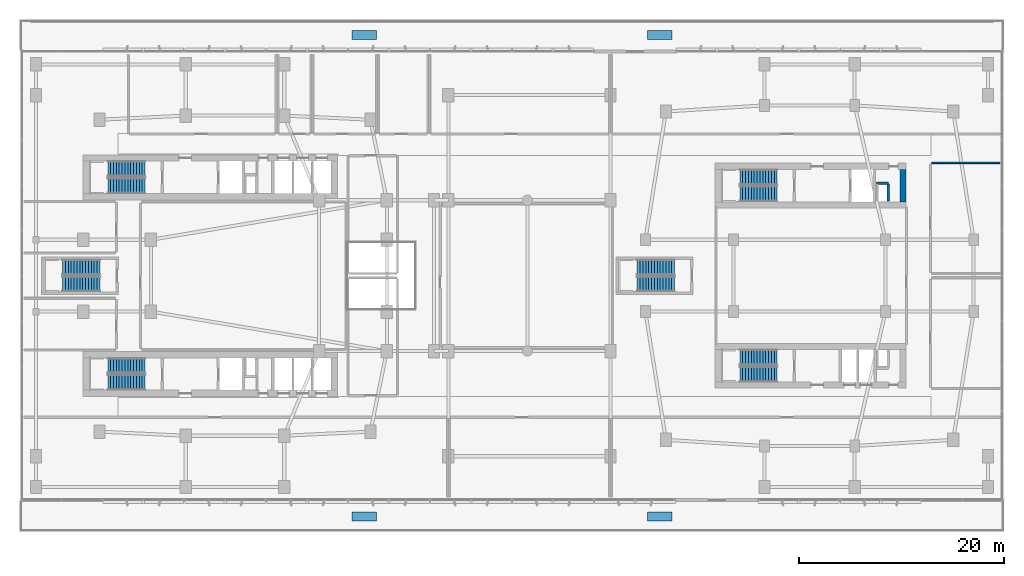
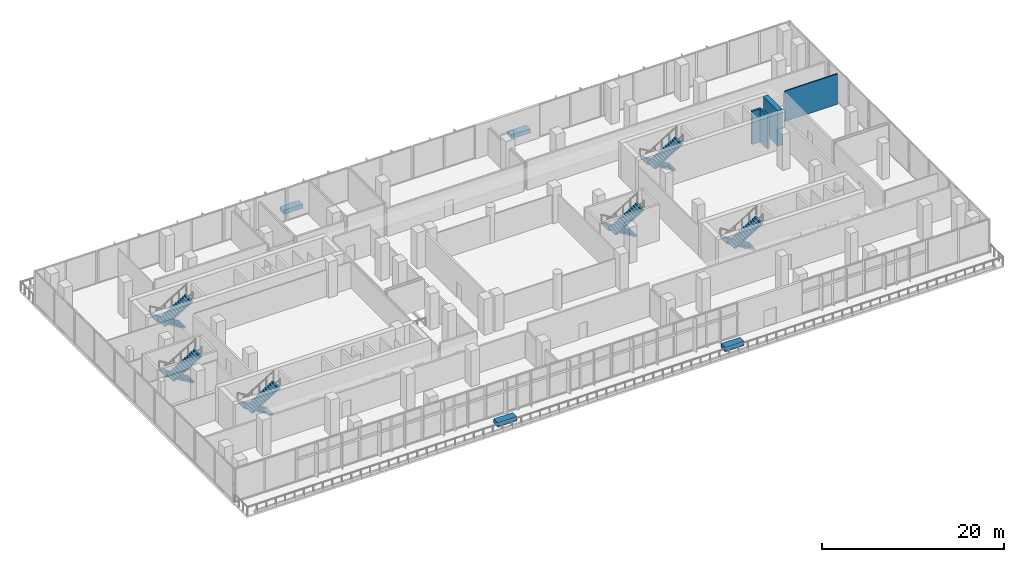
# One storey, part 16 of 30: 12 stair flights, 4 discrete accessories, 4 walls, 6 elements without a shape of their own.
"""IFC4 building model written with IfcOpenShell, lengths in metres."""

from ifc_helpers import new_model, si_unit, derived_unit, direction, frame, frame_2d, origin, origin_2d, place, context, subcontext, project, spatial, polyline, rectangle, outline, extrude, material, layer, layer_set, type_object, element, aggregate, save


model = new_model("IFC4")

# Units and contexts
model_context = context("Model", 3, precision=1e-05, world=origin(), true_north=direction((0.0, 1.0)))
body_context = subcontext(model_context, "Body", "Model", "MODEL_VIEW")
ifc_project = project(units=[si_unit("LENGTHUNIT", "METRE"), si_unit("AREAUNIT", "SQUARE_METRE"), si_unit("VOLUMEUNIT", "CUBIC_METRE"), si_unit("PLANEANGLEUNIT", "RADIAN"), si_unit("MASSUNIT", "GRAM", prefix="KILO"), derived_unit("THERMALTRANSMITTANCEUNIT", [(si_unit("POWERUNIT", "WATT"), 1), (si_unit("LENGTHUNIT", "METRE"), -2), (si_unit("THERMODYNAMICTEMPERATUREUNIT", "KELVIN"), -1)])], contexts=[model_context])

# Site, building, storey
site_placement = place(None, origin())
site = spatial("IfcSite", under=ifc_project, at=site_placement, CompositionType="ELEMENT")
building_placement = place(site_placement, origin())
building = spatial("IfcBuilding", under=site, at=building_placement, Name="Kivonza Crest Hotel", CompositionType="ELEMENT")
storey_placement = place(building_placement, frame((0.0, 0.0, 10.199951171875)))
storey = spatial("IfcBuildingStorey", under=building, at=storey_placement, Name="L02", CompositionType="ELEMENT", Elevation=10.199951171875)

# Walls
ifc_material_1 = material(Name="Concrete C60/75", Category="concrete")
ifc_layer_1 = layer(ifc_material_1, 0.60009765625)
ifc_layer_set_1 = layer_set([ifc_layer_1], Name="Concrete C60/75")
wall_type_1 = type_object("IfcWallType", Name="WL-CORE-600", PredefinedType="SHEAR", material=ifc_layer_set_1)
wall_1_placement = place(storey_placement, frame((86.10009765625, 32.199951171875, 0.0), z_axis=(0.0, 0.0, 1.0), x_axis=(0.0, 1.0, 0.0)))
element("IfcWall", 1, at=wall_1_placement, inside=storey, type_object=wall_type_1, Name="Core wall T2-N East L02", PredefinedType="SHEAR", context=body_context, shape_type="SweptSolid", body=[
    extrude(rectangle(XDim=3.16015625, YDim=0.60009765625, at=frame_2d((1.580078125, 0.0))), origin(), (0.0, 0.0, 1.0), 4.800048828125),
])
ifc_material_2 = material(Name="Concrete blockwork fire-compartment wall", Category="masonry")
ifc_layer_2 = layer(ifc_material_2, 0.25)
ifc_layer_set_2 = layer_set([ifc_layer_2], Name="Concrete blockwork fire-compartment wall")
wall_type_2 = type_object("IfcWallType", Name="WL-FIRE-250", PredefinedType="SOLIDWALL", material=ifc_layer_set_2)
wall_2_placement = place(storey_placement, frame((84.679931640625, 32.300048828125, 0.0), z_axis=(0.0, 0.0, 1.0), x_axis=(0.0, 1.0, 0.0)))
element("IfcWall", 2, at=wall_2_placement, inside=storey, type_object=wall_type_2, Name="L02 interior partition WA-L02-T2-N-MEPR-E", PredefinedType="SOLIDWALL", context=body_context, shape_type="SweptSolid", body=[
    extrude(rectangle(XDim=1.619873046875, YDim=0.25, at=frame_2d((0.81005859375, 0.0))), origin(), (0.0, 0.0, 1.0), 4.449951171875),
])
wall_3_placement = place(storey_placement, frame((83.550048828125, 34.02001953125, 0.0), z_axis=(0.0, 0.0, 1.0), x_axis=(1.0, 0.0, 0.0)))
element("IfcWall", 3, at=wall_3_placement, inside=storey, type_object=wall_type_2, Name="L02 interior partition WA-L02-T2-N-MEPR-H", PredefinedType="SOLIDWALL", context=body_context, shape_type="SweptSolid", body=[
    extrude(rectangle(XDim=1.1298828125, YDim=0.25, at=frame_2d((0.56494140625, 0.0))), origin(), (0.0, 0.0, 1.0), 4.449951171875),
])
ifc_material_3 = material(Name="Twin-stud acoustic gypsum board partition", Category="gypsum")
ifc_layer_3 = layer(ifc_material_3, 0.14990234375)
ifc_layer_set_3 = layer_set([ifc_layer_3], Name="Twin-stud acoustic gypsum board partition")
wall_type_3 = type_object("IfcWallType", Name="WL-PART-150", PredefinedType="PARTITIONING", material=ifc_layer_set_3)
wall_4_placement = place(storey_placement, frame((88.89990234375, 36.0, 0.0), z_axis=(0.0, 0.0, 1.0), x_axis=(1.0, 0.0, 0.0)))
element("IfcWall", 4, at=wall_4_placement, inside=storey, type_object=wall_type_3, Name="L02 interior partition WP-L02-E-GAL2N-BN", PredefinedType="PARTITIONING", context=body_context, shape_type="SweptSolid", body=[
    extrude(rectangle(XDim=6.650146484375, YDim=0.14990234375, at=frame_2d((3.3251953125, 0.0))), origin(), (0.0, 0.0, 1.0), 4.06494140625),
])

# Stair, stair flights
ifc_material_4 = material(Name="Concrete C40/50", Category="concrete")
stair_type = type_object("IfcStairType", Name="ST-DL-28R", PredefinedType="HALF_TURN_STAIR", material=ifc_material_4)
stair_1_placement = place(storey_placement, origin())
stair_1 = element("IfcStair", 5, at=stair_1_placement, inside=storey, type_object=stair_type, Name="L02 Protected Exit Stair ST-T1-N", PredefinedType="HALF_TURN_STAIR")
stair_flight_type = type_object("IfcStairFlightType", Name="SFL-RC-14R", PredefinedType="STRAIGHT", material=ifc_material_4)
stair_flight_1_placement = place(storey_placement, frame((12.239990234375, 35.409912109375, 0.0), z_axis=(0.0, 0.0, 1.0), x_axis=(-1.0, 0.0, 0.0)))
stair_flight_1 = element("IfcStairFlight", 6, at=stair_flight_1_placement, type_object=stair_flight_type, Name="ST-T1-N flight 1", NumberOfRisers=14, NumberOfTreads=13, PredefinedType="STRAIGHT", RiserHeight=0.171428571, TreadLength=0.28, context=body_context, shape_type="SweptSolid", body=[
    extrude(outline(polyline([(0.0, 0.0), (0.0, 0.17138671875), (0.280029296875, 0.17138671875), (0.280029296875, 0.3427734375), (0.56005859375, 0.3427734375), (0.56005859375, 0.514404296875), (0.840087890625, 0.514404296875), (0.840087890625, 0.685791015625), (1.1201171875, 0.685791015625), (1.1201171875, 0.857177734375), (1.39990234375, 0.857177734375), (1.39990234375, 1.028564453125), (1.679931640625, 1.028564453125), (1.679931640625, 1.199951171875), (1.9599609375, 1.199951171875), (1.9599609375, 1.371337890625), (2.239990234375, 1.371337890625), (2.239990234375, 1.54296875), (2.52001953125, 1.54296875), (2.52001953125, 1.71435546875), (2.800048828125, 1.71435546875), (2.800048828125, 1.8857421875), (3.080078125, 1.8857421875), (3.080078125, 2.05712890625), (3.360107421875, 2.05712890625), (3.360107421875, 2.228515625), (3.639892578125, 2.228515625), (3.639892578125, 2.39990234375), (3.639892578125, 2.052734375), (0.287109375, 0.0), (0.0, 0.0)])), frame((0.0, 0.75, 0.0), z_axis=(0.0, -1.0, 0.0), x_axis=(1.0, 0.0, 0.0)), (0.0, 0.0, 1.0), 1.5),
])
stair_flight_2_placement = place(storey_placement, frame((8.60009765625, 33.77001953125, 2.400146484375), z_axis=(0.0, 0.0, 1.0), x_axis=(1.0, 0.0, 0.0)))
stair_flight_2 = element("IfcStairFlight", 7, at=stair_flight_2_placement, type_object=stair_flight_type, Name="ST-T1-N flight 2", NumberOfRisers=14, NumberOfTreads=13, PredefinedType="STRAIGHT", RiserHeight=0.171428571, TreadLength=0.28, context=body_context, shape_type="SweptSolid", body=[
    extrude(outline(polyline([(0.0, 0.0), (0.0, 0.17138671875), (0.280029296875, 0.17138671875), (0.280029296875, 0.3427734375), (0.56005859375, 0.3427734375), (0.56005859375, 0.514404296875), (0.840087890625, 0.514404296875), (0.840087890625, 0.685791015625), (1.1201171875, 0.685791015625), (1.1201171875, 0.857177734375), (1.39990234375, 0.857177734375), (1.39990234375, 1.028564453125), (1.679931640625, 1.028564453125), (1.679931640625, 1.199951171875), (1.9599609375, 1.199951171875), (1.9599609375, 1.371337890625), (2.239990234375, 1.371337890625), (2.239990234375, 1.54296875), (2.52001953125, 1.54296875), (2.52001953125, 1.71435546875), (2.800048828125, 1.71435546875), (2.800048828125, 1.8857421875), (3.080078125, 1.8857421875), (3.080078125, 2.05712890625), (3.360107421875, 2.05712890625), (3.360107421875, 2.228515625), (3.639892578125, 2.228515625), (3.639892578125, 2.39990234375), (3.639892578125, 2.052734375), (0.287109375, 0.0), (0.0, 0.0)])), frame((0.0, 0.75, 0.0), z_axis=(0.0, -1.0, 0.0), x_axis=(1.0, 0.0, 0.0)), (0.0, 0.0, 1.0), 1.5),
])
aggregate(stair_1, [stair_flight_1, stair_flight_2])

stair_2_placement = place(storey_placement, origin())
stair_2 = element("IfcStair", 8, at=stair_2_placement, inside=storey, type_object=stair_type, Name="L02 Protected Exit Stair ST-T1-S", PredefinedType="HALF_TURN_STAIR")
stair_flight_3_placement = place(storey_placement, frame((12.239990234375, 16.25, 0.0), z_axis=(0.0, 0.0, 1.0), x_axis=(-1.0, 0.0, 0.0)))
stair_flight_3 = element("IfcStairFlight", 9, at=stair_flight_3_placement, type_object=stair_flight_type, Name="ST-T1-S flight 1", NumberOfRisers=14, NumberOfTreads=13, PredefinedType="STRAIGHT", RiserHeight=0.171428571, TreadLength=0.28, context=body_context, shape_type="SweptSolid", body=[
    extrude(outline(polyline([(0.0, 0.0), (0.0, 0.17138671875), (0.280029296875, 0.17138671875), (0.280029296875, 0.3427734375), (0.56005859375, 0.3427734375), (0.56005859375, 0.514404296875), (0.840087890625, 0.514404296875), (0.840087890625, 0.685791015625), (1.1201171875, 0.685791015625), (1.1201171875, 0.857177734375), (1.39990234375, 0.857177734375), (1.39990234375, 1.028564453125), (1.679931640625, 1.028564453125), (1.679931640625, 1.199951171875), (1.9599609375, 1.199951171875), (1.9599609375, 1.371337890625), (2.239990234375, 1.371337890625), (2.239990234375, 1.54296875), (2.52001953125, 1.54296875), (2.52001953125, 1.71435546875), (2.800048828125, 1.71435546875), (2.800048828125, 1.8857421875), (3.080078125, 1.8857421875), (3.080078125, 2.05712890625), (3.360107421875, 2.05712890625), (3.360107421875, 2.228515625), (3.639892578125, 2.228515625), (3.639892578125, 2.39990234375), (3.639892578125, 2.052734375), (0.287109375, 0.0), (0.0, 0.0)])), frame((0.0, 0.75, 0.0), z_axis=(0.0, -1.0, 0.0), x_axis=(1.0, 0.0, 0.0)), (0.0, 0.0, 1.0), 1.5),
])
stair_flight_4_placement = place(storey_placement, frame((8.60009765625, 14.610107421875, 2.400146484375), z_axis=(0.0, 0.0, 1.0), x_axis=(1.0, 0.0, 0.0)))
stair_flight_4 = element("IfcStairFlight", 10, at=stair_flight_4_placement, type_object=stair_flight_type, Name="ST-T1-S flight 2", NumberOfRisers=14, NumberOfTreads=13, PredefinedType="STRAIGHT", RiserHeight=0.171428571, TreadLength=0.28, context=body_context, shape_type="SweptSolid", body=[
    extrude(outline(polyline([(0.0, 0.0), (0.0, 0.17138671875), (0.280029296875, 0.17138671875), (0.280029296875, 0.3427734375), (0.56005859375, 0.3427734375), (0.56005859375, 0.514404296875), (0.840087890625, 0.514404296875), (0.840087890625, 0.685791015625), (1.1201171875, 0.685791015625), (1.1201171875, 0.857177734375), (1.39990234375, 0.857177734375), (1.39990234375, 1.028564453125), (1.679931640625, 1.028564453125), (1.679931640625, 1.199951171875), (1.9599609375, 1.199951171875), (1.9599609375, 1.371337890625), (2.239990234375, 1.371337890625), (2.239990234375, 1.54296875), (2.52001953125, 1.54296875), (2.52001953125, 1.71435546875), (2.800048828125, 1.71435546875), (2.800048828125, 1.8857421875), (3.080078125, 1.8857421875), (3.080078125, 2.05712890625), (3.360107421875, 2.05712890625), (3.360107421875, 2.228515625), (3.639892578125, 2.228515625), (3.639892578125, 2.39990234375), (3.639892578125, 2.052734375), (0.287109375, 0.0), (0.0, 0.0)])), frame((0.0, 0.75, 0.0), z_axis=(0.0, -1.0, 0.0), x_axis=(1.0, 0.0, 0.0)), (0.0, 0.0, 1.0), 1.5),
])
aggregate(stair_2, [stair_flight_3, stair_flight_4])

stair_3_placement = place(storey_placement, origin())
stair_3 = element("IfcStair", 11, at=stair_3_placement, inside=storey, type_object=stair_type, Name="L02 Protected Exit Stair ST-T2-N", PredefinedType="HALF_TURN_STAIR")
stair_flight_5_placement = place(storey_placement, frame((73.840087890625, 34.610107421875, 0.0), z_axis=(0.0, 0.0, 1.0), x_axis=(-1.0, 0.0, 0.0)))
stair_flight_5 = element("IfcStairFlight", 12, at=stair_flight_5_placement, type_object=stair_flight_type, Name="ST-T2-N flight 1", NumberOfRisers=14, NumberOfTreads=13, PredefinedType="STRAIGHT", RiserHeight=0.171428571, TreadLength=0.28, context=body_context, shape_type="SweptSolid", body=[
    extrude(outline(polyline([(0.0, 0.0), (0.0, 0.17138671875), (0.280029296875, 0.17138671875), (0.280029296875, 0.3427734375), (0.56005859375, 0.3427734375), (0.56005859375, 0.514404296875), (0.840087890625, 0.514404296875), (0.840087890625, 0.685791015625), (1.1201171875, 0.685791015625), (1.1201171875, 0.857177734375), (1.39990234375, 0.857177734375), (1.39990234375, 1.028564453125), (1.679931640625, 1.028564453125), (1.679931640625, 1.199951171875), (1.9599609375, 1.199951171875), (1.9599609375, 1.371337890625), (2.239990234375, 1.371337890625), (2.239990234375, 1.54296875), (2.52001953125, 1.54296875), (2.52001953125, 1.71435546875), (2.800048828125, 1.71435546875), (2.800048828125, 1.8857421875), (3.080078125, 1.8857421875), (3.080078125, 2.05712890625), (3.360107421875, 2.05712890625), (3.360107421875, 2.228515625), (3.639892578125, 2.228515625), (3.639892578125, 2.39990234375), (3.639892578125, 2.052734375), (0.287109375, 0.0), (0.0, 0.0)])), frame((0.0, 0.75, 0.0), z_axis=(0.0, -1.0, 0.0), x_axis=(1.0, 0.0, 0.0)), (0.0, 0.0, 1.0), 1.5),
])
stair_flight_6_placement = place(storey_placement, frame((70.199951171875, 32.969970703125, 2.400146484375), z_axis=(0.0, 0.0, 1.0), x_axis=(1.0, 0.0, 0.0)))
stair_flight_6 = element("IfcStairFlight", 13, at=stair_flight_6_placement, type_object=stair_flight_type, Name="ST-T2-N flight 2", NumberOfRisers=14, NumberOfTreads=13, PredefinedType="STRAIGHT", RiserHeight=0.171428571, TreadLength=0.28, context=body_context, shape_type="SweptSolid", body=[
    extrude(outline(polyline([(0.0, 0.0), (0.0, 0.17138671875), (0.280029296875, 0.17138671875), (0.280029296875, 0.3427734375), (0.56005859375, 0.3427734375), (0.56005859375, 0.514404296875), (0.840087890625, 0.514404296875), (0.840087890625, 0.685791015625), (1.1201171875, 0.685791015625), (1.1201171875, 0.857177734375), (1.39990234375, 0.857177734375), (1.39990234375, 1.028564453125), (1.679931640625, 1.028564453125), (1.679931640625, 1.199951171875), (1.9599609375, 1.199951171875), (1.9599609375, 1.371337890625), (2.239990234375, 1.371337890625), (2.239990234375, 1.54296875), (2.52001953125, 1.54296875), (2.52001953125, 1.71435546875), (2.800048828125, 1.71435546875), (2.800048828125, 1.8857421875), (3.080078125, 1.8857421875), (3.080078125, 2.05712890625), (3.360107421875, 2.05712890625), (3.360107421875, 2.228515625), (3.639892578125, 2.228515625), (3.639892578125, 2.39990234375), (3.639892578125, 2.052734375), (0.287109375, 0.0), (0.0, 0.0)])), frame((0.0, 0.75, 0.0), z_axis=(0.0, -1.0, 0.0), x_axis=(1.0, 0.0, 0.0)), (0.0, 0.0, 1.0), 1.5),
])
aggregate(stair_3, [stair_flight_5, stair_flight_6])

stair_4_placement = place(storey_placement, origin())
stair_4 = element("IfcStair", 14, at=stair_4_placement, inside=storey, type_object=stair_type, Name="L02 Protected Exit Stair ST-T2-S", PredefinedType="HALF_TURN_STAIR")
stair_flight_7_placement = place(storey_placement, frame((73.840087890625, 17.050048828125, 0.0), z_axis=(0.0, 0.0, 1.0), x_axis=(-1.0, 0.0, 0.0)))
stair_flight_7 = element("IfcStairFlight", 15, at=stair_flight_7_placement, type_object=stair_flight_type, Name="ST-T2-S flight 1", NumberOfRisers=14, NumberOfTreads=13, PredefinedType="STRAIGHT", RiserHeight=0.171428571, TreadLength=0.28, context=body_context, shape_type="SweptSolid", body=[
    extrude(outline(polyline([(0.0, 0.0), (0.0, 0.17138671875), (0.280029296875, 0.17138671875), (0.280029296875, 0.3427734375), (0.56005859375, 0.3427734375), (0.56005859375, 0.514404296875), (0.840087890625, 0.514404296875), (0.840087890625, 0.685791015625), (1.1201171875, 0.685791015625), (1.1201171875, 0.857177734375), (1.39990234375, 0.857177734375), (1.39990234375, 1.028564453125), (1.679931640625, 1.028564453125), (1.679931640625, 1.199951171875), (1.9599609375, 1.199951171875), (1.9599609375, 1.371337890625), (2.239990234375, 1.371337890625), (2.239990234375, 1.54296875), (2.52001953125, 1.54296875), (2.52001953125, 1.71435546875), (2.800048828125, 1.71435546875), (2.800048828125, 1.8857421875), (3.080078125, 1.8857421875), (3.080078125, 2.05712890625), (3.360107421875, 2.05712890625), (3.360107421875, 2.228515625), (3.639892578125, 2.228515625), (3.639892578125, 2.39990234375), (3.639892578125, 2.052734375), (0.287109375, 0.0), (0.0, 0.0)])), frame((0.0, 0.75, 0.0), z_axis=(0.0, -1.0, 0.0), x_axis=(1.0, 0.0, 0.0)), (0.0, 0.0, 1.0), 1.5),
])
stair_flight_8_placement = place(storey_placement, frame((70.199951171875, 15.409912109375, 2.400146484375), z_axis=(0.0, 0.0, 1.0), x_axis=(1.0, 0.0, 0.0)))
stair_flight_8 = element("IfcStairFlight", 16, at=stair_flight_8_placement, type_object=stair_flight_type, Name="ST-T2-S flight 2", NumberOfRisers=14, NumberOfTreads=13, PredefinedType="STRAIGHT", RiserHeight=0.171428571, TreadLength=0.28, context=body_context, shape_type="SweptSolid", body=[
    extrude(outline(polyline([(0.0, 0.0), (0.0, 0.17138671875), (0.280029296875, 0.17138671875), (0.280029296875, 0.3427734375), (0.56005859375, 0.3427734375), (0.56005859375, 0.514404296875), (0.840087890625, 0.514404296875), (0.840087890625, 0.685791015625), (1.1201171875, 0.685791015625), (1.1201171875, 0.857177734375), (1.39990234375, 0.857177734375), (1.39990234375, 1.028564453125), (1.679931640625, 1.028564453125), (1.679931640625, 1.199951171875), (1.9599609375, 1.199951171875), (1.9599609375, 1.371337890625), (2.239990234375, 1.371337890625), (2.239990234375, 1.54296875), (2.52001953125, 1.54296875), (2.52001953125, 1.71435546875), (2.800048828125, 1.71435546875), (2.800048828125, 1.8857421875), (3.080078125, 1.8857421875), (3.080078125, 2.05712890625), (3.360107421875, 2.05712890625), (3.360107421875, 2.228515625), (3.639892578125, 2.228515625), (3.639892578125, 2.39990234375), (3.639892578125, 2.052734375), (0.287109375, 0.0), (0.0, 0.0)])), frame((0.0, 0.75, 0.0), z_axis=(0.0, -1.0, 0.0), x_axis=(1.0, 0.0, 0.0)), (0.0, 0.0, 1.0), 1.5),
])
aggregate(stair_4, [stair_flight_7, stair_flight_8])

stair_5_placement = place(storey_placement, origin())
stair_5 = element("IfcStair", 17, at=stair_5_placement, inside=storey, type_object=stair_type, Name="L02 Podium Escape Stair ST-POD-W", PredefinedType="HALF_TURN_STAIR")
stair_flight_9_placement = place(storey_placement, frame((7.840087890625, 25.830078125, 0.0), z_axis=(0.0, 0.0, 1.0), x_axis=(-1.0, 0.0, 0.0)))
stair_flight_9 = element("IfcStairFlight", 18, at=stair_flight_9_placement, type_object=stair_flight_type, Name="ST-POD-W flight 1", NumberOfRisers=14, NumberOfTreads=13, PredefinedType="STRAIGHT", RiserHeight=0.171428571, TreadLength=0.28, context=body_context, shape_type="SweptSolid", body=[
    extrude(outline(polyline([(0.0, 0.0), (0.0, 0.17138671875), (0.280029296875, 0.17138671875), (0.280029296875, 0.3427734375), (0.56005859375, 0.3427734375), (0.56005859375, 0.514404296875), (0.840087890625, 0.514404296875), (0.840087890625, 0.685791015625), (1.1201171875, 0.685791015625), (1.1201171875, 0.857177734375), (1.39990234375, 0.857177734375), (1.39990234375, 1.028564453125), (1.679931640625, 1.028564453125), (1.679931640625, 1.199951171875), (1.9599609375, 1.199951171875), (1.9599609375, 1.371337890625), (2.239990234375, 1.371337890625), (2.239990234375, 1.54296875), (2.52001953125, 1.54296875), (2.52001953125, 1.71435546875), (2.800048828125, 1.71435546875), (2.800048828125, 1.8857421875), (3.080078125, 1.8857421875), (3.080078125, 2.05712890625), (3.360107421875, 2.05712890625), (3.360107421875, 2.228515625), (3.639892578125, 2.228515625), (3.639892578125, 2.39990234375), (3.639892578125, 2.052734375), (0.287109375, 0.0), (0.0, 0.0)])), frame((0.0, 0.75, 0.0), z_axis=(0.0, -1.0, 0.0), x_axis=(1.0, 0.0, 0.0)), (0.0, 0.0, 1.0), 1.5),
])
stair_flight_10_placement = place(storey_placement, frame((4.199951171875, 24.18994140625, 2.400146484375), z_axis=(0.0, 0.0, 1.0), x_axis=(1.0, 0.0, 0.0)))
stair_flight_10 = element("IfcStairFlight", 19, at=stair_flight_10_placement, type_object=stair_flight_type, Name="ST-POD-W flight 2", NumberOfRisers=14, NumberOfTreads=13, PredefinedType="STRAIGHT", RiserHeight=0.171428571, TreadLength=0.28, context=body_context, shape_type="SweptSolid", body=[
    extrude(outline(polyline([(0.0, 0.0), (0.0, 0.17138671875), (0.280029296875, 0.17138671875), (0.280029296875, 0.3427734375), (0.56005859375, 0.3427734375), (0.56005859375, 0.514404296875), (0.840087890625, 0.514404296875), (0.840087890625, 0.685791015625), (1.1201171875, 0.685791015625), (1.1201171875, 0.857177734375), (1.39990234375, 0.857177734375), (1.39990234375, 1.028564453125), (1.679931640625, 1.028564453125), (1.679931640625, 1.199951171875), (1.9599609375, 1.199951171875), (1.9599609375, 1.371337890625), (2.239990234375, 1.371337890625), (2.239990234375, 1.54296875), (2.52001953125, 1.54296875), (2.52001953125, 1.71435546875), (2.800048828125, 1.71435546875), (2.800048828125, 1.8857421875), (3.080078125, 1.8857421875), (3.080078125, 2.05712890625), (3.360107421875, 2.05712890625), (3.360107421875, 2.228515625), (3.639892578125, 2.228515625), (3.639892578125, 2.39990234375), (3.639892578125, 2.052734375), (0.287109375, 0.0), (0.0, 0.0)])), frame((0.0, 0.75, 0.0), z_axis=(0.0, -1.0, 0.0), x_axis=(1.0, 0.0, 0.0)), (0.0, 0.0, 1.0), 1.5),
])
aggregate(stair_5, [stair_flight_9, stair_flight_10])

stair_6_placement = place(storey_placement, origin())
stair_6 = element("IfcStair", 20, at=stair_6_placement, inside=storey, type_object=stair_type, Name="L02 Podium Escape Stair ST-POD-E", PredefinedType="HALF_TURN_STAIR")
stair_flight_11_placement = place(storey_placement, frame((63.840087890625, 25.830078125, 0.0), z_axis=(0.0, 0.0, 1.0), x_axis=(-1.0, 0.0, 0.0)))
stair_flight_11 = element("IfcStairFlight", 21, at=stair_flight_11_placement, type_object=stair_flight_type, Name="ST-POD-E flight 1", NumberOfRisers=14, NumberOfTreads=13, PredefinedType="STRAIGHT", RiserHeight=0.171428571, TreadLength=0.28, context=body_context, shape_type="SweptSolid", body=[
    extrude(outline(polyline([(0.0, 0.0), (0.0, 0.17138671875), (0.280029296875, 0.17138671875), (0.280029296875, 0.3427734375), (0.56005859375, 0.3427734375), (0.56005859375, 0.514404296875), (0.840087890625, 0.514404296875), (0.840087890625, 0.685791015625), (1.1201171875, 0.685791015625), (1.1201171875, 0.857177734375), (1.39990234375, 0.857177734375), (1.39990234375, 1.028564453125), (1.679931640625, 1.028564453125), (1.679931640625, 1.199951171875), (1.9599609375, 1.199951171875), (1.9599609375, 1.371337890625), (2.239990234375, 1.371337890625), (2.239990234375, 1.54296875), (2.52001953125, 1.54296875), (2.52001953125, 1.71435546875), (2.800048828125, 1.71435546875), (2.800048828125, 1.8857421875), (3.080078125, 1.8857421875), (3.080078125, 2.05712890625), (3.360107421875, 2.05712890625), (3.360107421875, 2.228515625), (3.639892578125, 2.228515625), (3.639892578125, 2.39990234375), (3.639892578125, 2.052734375), (0.287109375, 0.0), (0.0, 0.0)])), frame((0.0, 0.75, 0.0), z_axis=(0.0, -1.0, 0.0), x_axis=(1.0, 0.0, 0.0)), (0.0, 0.0, 1.0), 1.5),
])
stair_flight_12_placement = place(storey_placement, frame((60.199951171875, 24.18994140625, 2.400146484375), z_axis=(0.0, 0.0, 1.0), x_axis=(1.0, 0.0, 0.0)))
stair_flight_12 = element("IfcStairFlight", 22, at=stair_flight_12_placement, type_object=stair_flight_type, Name="ST-POD-E flight 2", NumberOfRisers=14, NumberOfTreads=13, PredefinedType="STRAIGHT", RiserHeight=0.171428571, TreadLength=0.28, context=body_context, shape_type="SweptSolid", body=[
    extrude(outline(polyline([(0.0, 0.0), (0.0, 0.17138671875), (0.280029296875, 0.17138671875), (0.280029296875, 0.3427734375), (0.56005859375, 0.3427734375), (0.56005859375, 0.514404296875), (0.840087890625, 0.514404296875), (0.840087890625, 0.685791015625), (1.1201171875, 0.685791015625), (1.1201171875, 0.857177734375), (1.39990234375, 0.857177734375), (1.39990234375, 1.028564453125), (1.679931640625, 1.028564453125), (1.679931640625, 1.199951171875), (1.9599609375, 1.199951171875), (1.9599609375, 1.371337890625), (2.239990234375, 1.371337890625), (2.239990234375, 1.54296875), (2.52001953125, 1.54296875), (2.52001953125, 1.71435546875), (2.800048828125, 1.71435546875), (2.800048828125, 1.8857421875), (3.080078125, 1.8857421875), (3.080078125, 2.05712890625), (3.360107421875, 2.05712890625), (3.360107421875, 2.228515625), (3.639892578125, 2.228515625), (3.639892578125, 2.39990234375), (3.639892578125, 2.052734375), (0.287109375, 0.0), (0.0, 0.0)])), frame((0.0, 0.75, 0.0), z_axis=(0.0, -1.0, 0.0), x_axis=(1.0, 0.0, 0.0)), (0.0, 0.0, 1.0), 1.5),
])
aggregate(stair_6, [stair_flight_11, stair_flight_12])

# Discrete accessories
ifc_material_5 = material(Name="Precast GRC planter with engineered planting soil", Category="concrete")
discrete_accessory_type = type_object("IfcDiscreteAccessoryType", Name="AC-PLANTER-1800", PredefinedType="USERDEFINED", material=ifc_material_5)
for number, where, z_axis, x_axis, name in (
    (23, (33.60009765625, 1.5400390625, 0.0), (0.0, 0.0, 1.0), (1.0, 0.0, 0.0), "L02 podium terrace planter 1A"),
    (24, (62.39990234375, 1.5400390625, 0.0), (0.0, 0.0, 1.0), (1.0, 0.0, 0.0), "L02 podium terrace planter 1B"),
    (25, (33.60009765625, 48.4599609375, 0.0), (0.0, 0.0, 1.0), (1.0, 0.0, 0.0), "L02 podium terrace planter 2A"),
    (26, (62.39990234375, 48.4599609375, 0.0), (0.0, 0.0, 1.0), (1.0, 0.0, 0.0), "L02 podium terrace planter 2B"),
):
    element("IfcDiscreteAccessory", number, at=place(storey_placement, frame(where, z_axis=z_axis, x_axis=x_axis)), inside=storey, type_object=discrete_accessory_type, Name=name, ObjectType="PLANTER", PredefinedType="USERDEFINED", context=body_context, shape_type="SweptSolid", body=[
        extrude(rectangle(XDim=2.39990234375, YDim=0.89990234375, at=origin_2d()), origin(), (0.0, 0.0, 1.0), 0.550048828125),
    ])

save(model, "model.ifc")
